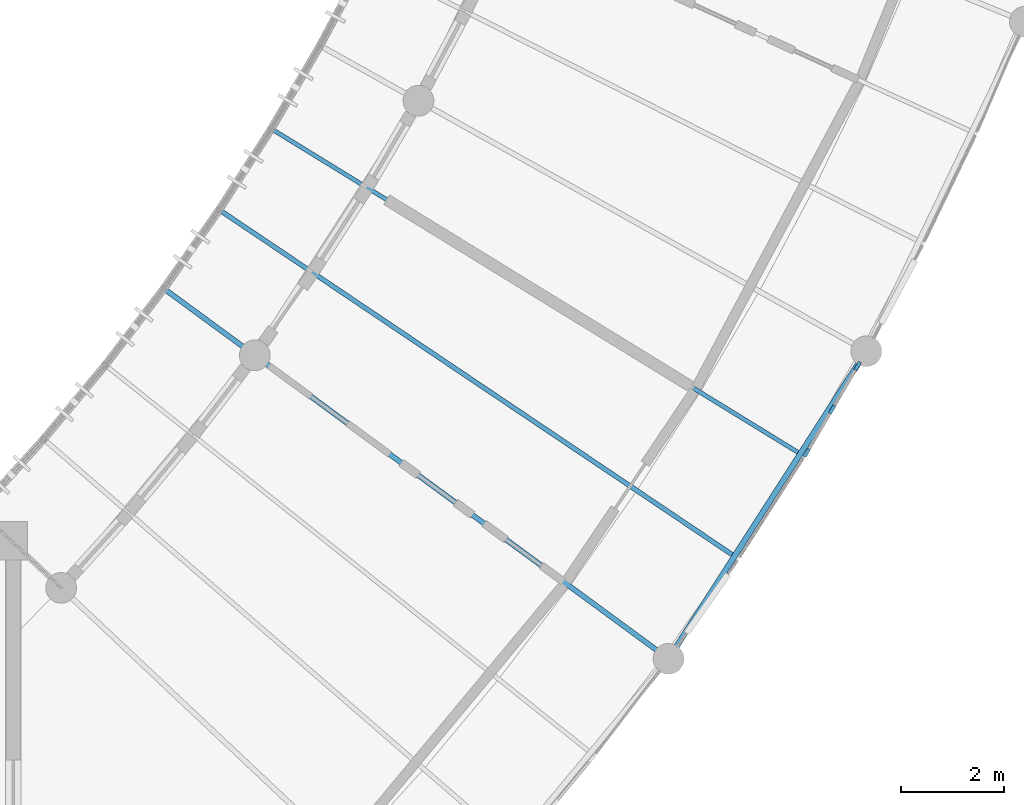
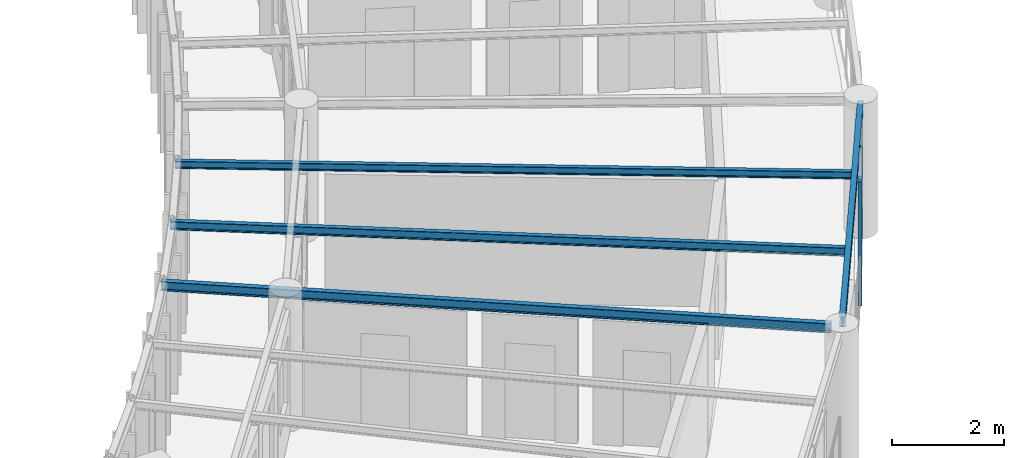
# One storey, part 13 of 100: 4 beams, 3 members, 1 element without a shape of its own.
"""IFC4 building model written with IfcOpenShell, lengths in metres."""

from ifc_helpers import new_model, si_unit, direction, frame, origin, origin_2d, place, context, subcontext, project, spatial, rectangle, i_section, extrude, material, layer, layer_set, material_profile, profile_set, type_object, element, aggregate, save


model = new_model("IFC4")

# Units and contexts
model_context = context("Model", 3, precision=1e-05, world=origin(), true_north=direction((0.0, 1.0)))
body_context = subcontext(model_context, "Body", "Model", "MODEL_VIEW")
ifc_project = project(units=[si_unit("LENGTHUNIT", "METRE"), si_unit("AREAUNIT", "SQUARE_METRE"), si_unit("VOLUMEUNIT", "CUBIC_METRE"), si_unit("PLANEANGLEUNIT", "RADIAN"), si_unit("MASSUNIT", "GRAM", prefix="KILO"), si_unit("POWERUNIT", "WATT"), si_unit("THERMODYNAMICTEMPERATUREUNIT", "KELVIN")], contexts=[model_context])

# Site, building, storey
site_placement = place(None, origin())
site = spatial("IfcSite", under=ifc_project, at=site_placement, CompositionType="ELEMENT")
building_placement = place(site_placement, origin())
building = spatial("IfcBuilding", under=site, at=building_placement, Name="Ruvembo Vaulted Housing Court", CompositionType="ELEMENT")
storey_placement = place(building_placement, frame((0.0, 0.0, 14.10009765625)))
storey = spatial("IfcBuildingStorey", under=building, at=storey_placement, Name="L04", CompositionType="ELEMENT", Elevation=14.10009765625)

# Beams
ifc_material_1 = material(Name="Steel S355J2", Category="steel")
ifc_material_profile_1 = material_profile(ifc_material_1, i_section(OverallWidth=0.08203125, OverallDepth=0.159912109375, WebThickness=0.0048828125, FlangeThickness=0.00732421875, FilletRadius=0.009033203125, at=origin_2d()), Name="IPE 160")
ifc_profile_set_1 = profile_set([ifc_material_profile_1], Name="Steel S355J2")
beam_type_1 = type_object("IfcBeamType", Name="BM-ST-IPE160", PredefinedType="JOIST", material=ifc_profile_set_1)
beam_1_placement = place(storey_placement, frame((51.29296875, 43.716064453125, 2.85986328125), z_axis=(-0.852055275677, 0.52345181936, 0.0), x_axis=(-0.52345181936, -0.852055275677, 0.0)))
element("IfcBeam", 1, at=beam_1_placement, inside=storey, type_object=beam_type_1, Name="Scoop SC1 L04 Radial Steel Joist 5", PredefinedType="JOIST", context=body_context, shape_type="SweptSolid", body=[
    extrude(i_section(OverallWidth=0.08203125, OverallDepth=0.159912109375, WebThickness=0.0048828125, FlangeThickness=0.00732421875, FilletRadius=0.009033203125, at=origin_2d()), origin(), (0.0, 0.0, 1.0), 12.092529296875),
])
ifc_material_profile_2 = material_profile(ifc_material_1, i_section(OverallWidth=0.091064453125, OverallDepth=0.179931640625, WebThickness=0.00537109375, FlangeThickness=0.008056640625, FilletRadius=0.009033203125, at=origin_2d()), Name="IPE 180")
ifc_profile_set_2 = profile_set([ifc_material_profile_2], Name="Steel S355J2")
beam_type_2 = type_object("IfcBeamType", Name="BM-ST-IPE180", PredefinedType="JOIST", material=ifc_profile_set_2)
beam_2_placement = place(storey_placement, frame((50.010986328125, 41.721923828125, 2.849853515625), z_axis=(-0.829875932672, 0.557947969233, 0.0), x_axis=(-0.557947969233, -0.829875932672, 0.0)))
element("IfcBeam", 2, at=beam_2_placement, inside=storey, type_object=beam_type_2, Name="Scoop SC1 L04 Radial Steel Joist 4", PredefinedType="JOIST", context=body_context, shape_type="SweptSolid", body=[
    extrude(i_section(OverallWidth=0.091064453125, OverallDepth=0.179931640625, WebThickness=0.00537109375, FlangeThickness=0.008056640625, FilletRadius=0.009033203125, at=origin_2d()), origin(), (0.0, 0.0, 1.0), 12.0927734375),
])
ifc_material_profile_3 = material_profile(ifc_material_1, i_section(OverallWidth=0.10009765625, OverallDepth=0.199951171875, WebThickness=0.005615234375, FlangeThickness=0.008544921875, FilletRadius=0.011962890625, at=origin_2d()), Name="IPE 200")
ifc_profile_set_3 = profile_set([ifc_material_profile_3], Name="Steel S355J2")
beam_type_3 = type_object("IfcBeamType", Name="BM-ST-IPE200", PredefinedType="BEAM", material=ifc_profile_set_3)
beam_3_placement = place(storey_placement, frame((48.614013671875, 39.8076171875, 2.83984375), z_axis=(-0.806329627064, 0.591466425521, 0.0), x_axis=(-0.591466425521, -0.806329627064, 0.0)))
element("IfcBeam", 3, at=beam_3_placement, inside=storey, type_object=beam_type_3, Name="Scoop SC1 L04 Radial Steel Joist 3", PredefinedType="BEAM", context=body_context, shape_type="SweptSolid", body=[
    extrude(i_section(OverallWidth=0.10009765625, OverallDepth=0.199951171875, WebThickness=0.005615234375, FlangeThickness=0.008544921875, FilletRadius=0.011962890625, at=origin_2d()), origin(), (0.0, 0.0, 1.0), 12.050048828125),
])
ifc_material_profile_4 = material_profile(ifc_material_1, i_section(OverallWidth=0.110107421875, OverallDepth=0.219970703125, WebThickness=0.005859375, FlangeThickness=0.00927734375, FilletRadius=0.011962890625, at=origin_2d()), Name="IPE 220")
ifc_profile_set_4 = profile_set([ifc_material_profile_4], Name="Steel S355J2")
beam_type_4 = type_object("IfcBeamType", Name="BM-ST-IPE220", PredefinedType="SPANDREL", material=ifc_profile_set_4)
beam_4_placement = place(storey_placement, frame((48.8701171875, 39.85498046875, 2.831787109375), z_axis=(0.540792346362, 0.84115613183, 0.0), x_axis=(-0.84115613183, 0.540792346362, 0.0)))
element("IfcBeam", 4, at=beam_4_placement, inside=storey, type_object=beam_type_4, Name="Scoop SC1 L04 Chord Girder B3", PredefinedType="SPANDREL", context=body_context, shape_type="SweptSolid", body=[
    extrude(i_section(OverallWidth=0.110107421875, OverallDepth=0.219970703125, WebThickness=0.005859375, FlangeThickness=0.00927734375, FilletRadius=0.011962890625, at=origin_2d()), origin(), (0.0, 0.0, 1.0), 6.74560546875),
])

# Curtain wall, members
ifc_material_2 = material(Name="Anodised Aluminium and Solar-Control Glass", Category="aluminium")
ifc_layer = layer(ifc_material_2, 0.1201171875, Name="Anodised Aluminium and Solar-Control Glass")
ifc_layer_set = layer_set([ifc_layer], Name="Anodised Aluminium and Solar-Control Glass")
curtain_wall_type = type_object("IfcCurtainWallType", Name="CW-SCOOP-GAL", PredefinedType="NOTDEFINED", material=ifc_layer_set)
curtain_wall_placement = place(storey_placement, origin())
curtain_wall = element("IfcCurtainWall", 5, at=curtain_wall_placement, inside=storey, type_object=curtain_wall_type, Name="L04 Curtain Wall CW-L04-0022", PredefinedType="NOTDEFINED")
ifc_material_3 = material(Name="Anodised Aluminium 6063-T6", Category="aluminium")
ifc_material_profile_5 = material_profile(ifc_material_3, rectangle(XDim=0.06494140625, YDim=0.179931640625, at=origin_2d()), Name="ALU 65x180")
ifc_profile_set_5 = profile_set([ifc_material_profile_5], Name="Anodised Aluminium 6063-T6")
member_type = type_object("IfcMemberType", Name="CW-MUL-65x180", PredefinedType="MULLION", material=ifc_profile_set_5)
member_1_placement = place(storey_placement, frame((51.46044921875, 43.7099609375, 0.0), z_axis=(0.0, 0.0, 1.0), x_axis=(-0.862600705107, 0.505885385784, 0.0)))
member_1 = element("IfcMember", 6, at=member_1_placement, type_object=member_type, Name="CW6 mullion 1", PredefinedType="MULLION", context=body_context, shape_type="SweptSolid", body=[
    extrude(rectangle(XDim=0.06494140625, YDim=0.179931640625, at=origin_2d()), origin(), (0.0, 0.0, 1.0), 2.697998046875),
])
member_2_placement = place(storey_placement, frame((51.95654296875, 44.555908203125, 0.0), z_axis=(0.0, 0.0, 1.0), x_axis=(-0.862600705107, 0.505885385784, 0.0)))
member_2 = element("IfcMember", 7, at=member_2_placement, type_object=member_type, Name="CW6 mullion 2", PredefinedType="MULLION", context=body_context, shape_type="SweptSolid", body=[
    extrude(rectangle(XDim=0.06494140625, YDim=0.179931640625, at=origin_2d()), origin(), (0.0, 0.0, 1.0), 2.697998046875),
])
member_3_placement = place(storey_placement, frame((52.45263671875, 45.40185546875, 0.0), z_axis=(0.0, 0.0, 1.0), x_axis=(-0.862600705107, 0.505885385784, 0.0)))
member_3 = element("IfcMember", 8, at=member_3_placement, type_object=member_type, Name="CW6 mullion 3", PredefinedType="MULLION", context=body_context, shape_type="SweptSolid", body=[
    extrude(rectangle(XDim=0.06494140625, YDim=0.179931640625, at=origin_2d()), origin(), (0.0, 0.0, 1.0), 2.697998046875),
])
aggregate(curtain_wall, [member_1, member_2, member_3])

save(model, "model.ifc")
